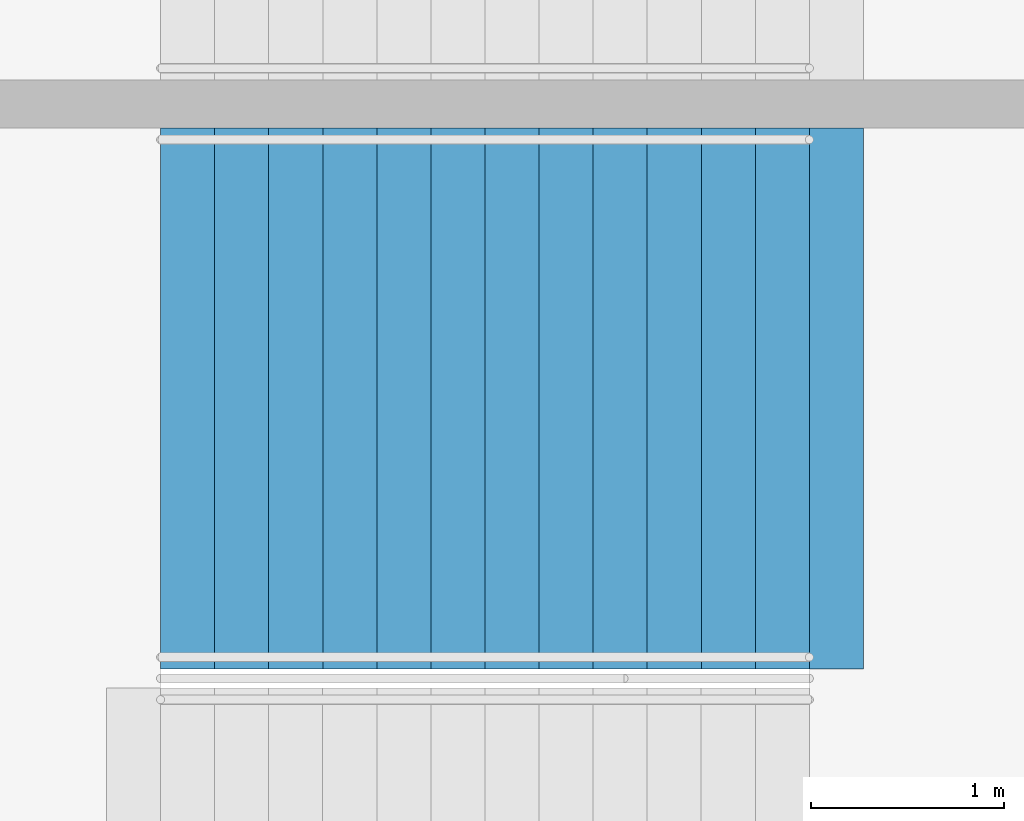
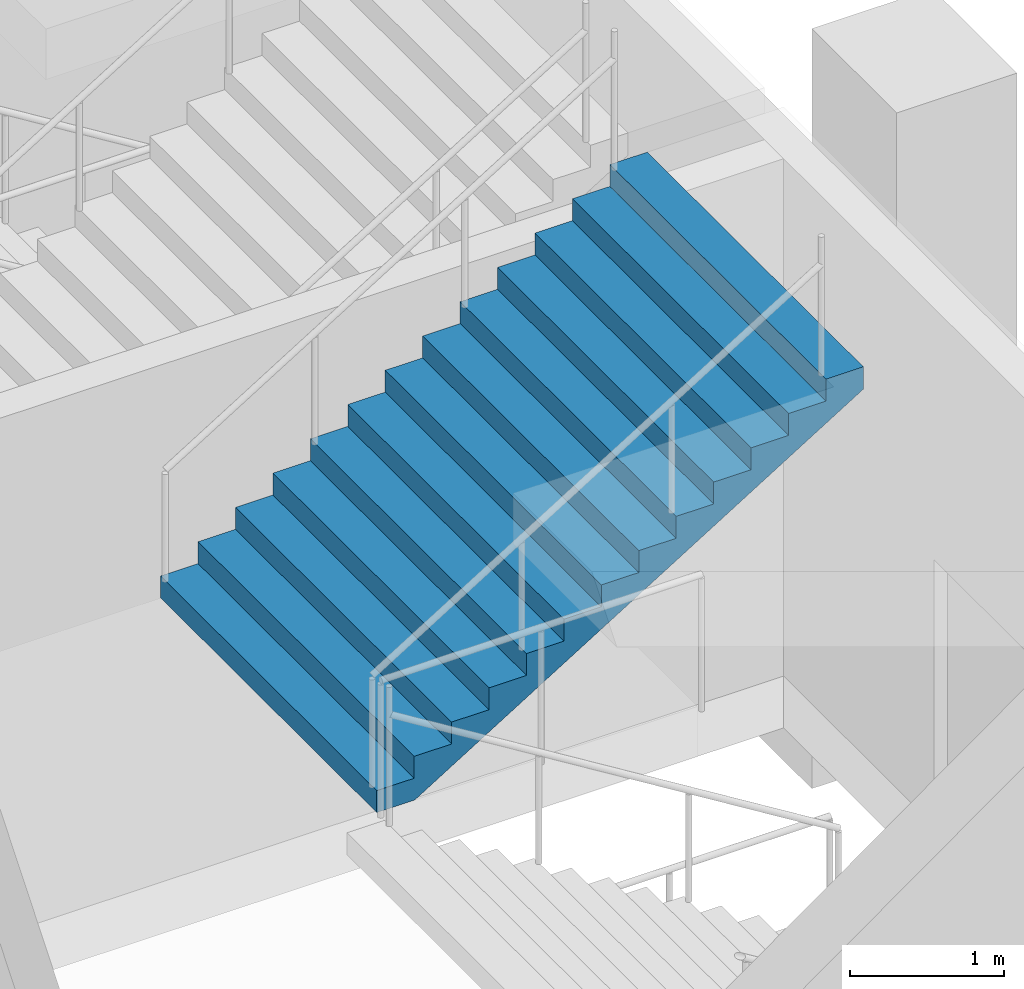
# One storey, part 113 of 177: 1 stair flight, 1 element without a shape of its own.
"""IFC4 building model written with IfcOpenShell, lengths in metres."""

import ifcopenshell
import ifcopenshell.guid

model = None  # the IFC model being written
_history = None  # IfcOwnerHistory: only IFC2X3 demands one
_inside = {}  # id of a spatial element -> (the spatial element, [elements in it])
_under = {}  # id of a project, library or spatial element -> (it, [spatial elements below it])
_declared = {}  # id of a project -> (the project, [libraries it declares])
_typed = {}  # id of a type object -> (the type object, [elements of that type])
_made_of = {}  # id of a material, layer set ... -> (it, [elements and type objects made of it])


def new_model(schema):
    """Start an empty IFC model of exactly this schema.

    Asked for "IFC4X3", IfcOpenShell would pick the latest addendum, in which some entities
    have other attributes; the version numbers below select the first issue.
    IFC2X3 requires an IfcOwnerHistory on every rooted entity: one is made here for all.
    """
    global model, _history
    if schema == "IFC4X3":
        model = ifcopenshell.file(schema_version=(4, 3, 0, 0))
    else:
        model = ifcopenshell.file(schema=schema)
    _inside.clear()
    _under.clear()
    _declared.clear()
    _typed.clear()
    _made_of.clear()
    _history = None
    if model.schema == "IFC2X3":
        org = make("IfcOrganization", Name="unknown")
        user = make(
            "IfcPersonAndOrganization",
            ThePerson=make("IfcPerson", FamilyName="unknown"),
            TheOrganization=org,
        )
        app = make(
            "IfcApplication",
            ApplicationDeveloper=org,
            Version="unknown",
            ApplicationFullName="unknown",
            ApplicationIdentifier="unknown",
        )
        _history = make(
            "IfcOwnerHistory",
            OwningUser=user,
            OwningApplication=app,
            ChangeAction="ADDED",
            CreationDate=0,
        )
    return model


def make(cls, **values):
    """One entity of the class cls with the attributes given. An attribute that is None is left unset."""
    return model.create_entity(
        cls, **{name: value for name, value in values.items() if value is not None}
    )


def rooted(cls, **values):
    """An entity with a GlobalId (a new one), such as an element, a storey or a relation."""
    return make(cls, GlobalId=ifcopenshell.guid.new(), OwnerHistory=_history, **values)


def si_unit(unit_type, name, prefix=None):
    """IfcSIUnit, for example si_unit("LENGTHUNIT", "METRE", prefix="MILLI")."""
    return make("IfcSIUnit", UnitType=unit_type, Prefix=prefix, Name=name)


def assignment(units):
    """IfcUnitAssignment: the units of a project."""
    return None if units is None else make("IfcUnitAssignment", Units=units)


def point(xyz):
    """IfcCartesianPoint."""
    return None if xyz is None else make("IfcCartesianPoint", Coordinates=xyz)


def direction(xyz):
    """IfcDirection."""
    return None if xyz is None else make("IfcDirection", DirectionRatios=xyz)


def frame(location, z_axis=None, x_axis=None):
    """IfcAxis2Placement3D, a coordinate frame: its origin and axes. An axis left out is left unset."""
    return make(
        "IfcAxis2Placement3D",
        Location=point(location),
        Axis=direction(z_axis),
        RefDirection=direction(x_axis),
    )


def origin():
    """The frame at (0, 0, 0) with its axes left unset."""
    return frame((0.0, 0.0, 0.0))


def place(relative_to, where):
    """IfcLocalPlacement: puts the frame where relative to a parent placement (None: the world)."""
    return make(
        "IfcLocalPlacement", PlacementRelTo=relative_to, RelativePlacement=where
    )


def context(
    kind, dimensions, precision=None, world=None, true_north=None, identifier=None
):
    """IfcGeometricRepresentationContext, for example the 3D "Model" context."""
    return make(
        "IfcGeometricRepresentationContext",
        ContextIdentifier=identifier,
        ContextType=kind,
        CoordinateSpaceDimension=dimensions,
        Precision=precision,
        WorldCoordinateSystem=world,
        TrueNorth=true_north,
    )


def subcontext(parent, identifier, kind, view, scale=None):
    """IfcGeometricRepresentationSubContext, for example "Body" below "Model"."""
    return make(
        "IfcGeometricRepresentationSubContext",
        ContextIdentifier=identifier,
        ContextType=kind,
        ParentContext=parent,
        TargetScale=scale,
        TargetView=view,
    )


def project(units=None, contexts=None):
    """IfcProject with its units and contexts."""
    return rooted(
        "IfcProject",
        Name="project",
        RepresentationContexts=contexts,
        UnitsInContext=assignment(units),
    )


def spatial(cls, under=None, at=None, **own):
    """A site, building, storey or space (cls), placed at a placement, below another one or the project."""
    s = rooted(cls, ObjectPlacement=at, **own)
    if under is not None:
        _under.setdefault(under.id(), (under, []))[1].append(s)
    return s


def faces_of(points, faces, orient=None, outer=None):
    """IfcFace entities. A face is a list of loops; a loop is a list of indices into points, from 0.

    orient and outer hold one flag for each loop. By default every Orientation is true, the
    first loop of a face is its IfcFaceOuterBound and the others are IfcFaceBound.
    """
    made = []
    for i, loops in enumerate(faces):
        bounds = []
        for j, loop in enumerate(loops):
            is_outer = j == 0 if outer is None else outer[i][j]
            bounds.append(
                make(
                    "IfcFaceOuterBound" if is_outer else "IfcFaceBound",
                    Bound=make("IfcPolyLoop", Polygon=[points[k] for k in loop]),
                    Orientation=True if orient is None else orient[i][j],
                )
            )
        made.append(make("IfcFace", Bounds=bounds))
    return made


def faceted_brep(points, faces, orient=None, outer=None, voids=None):
    """IfcFacetedBrep: a solid bounded by flat faces; with voids (closed shells), ...WithVoids."""
    shared = [point(p) for p in points]
    hull = make("IfcClosedShell", CfsFaces=faces_of(shared, faces, orient, outer))
    if voids is None:
        return make("IfcFacetedBrep", Outer=hull)
    return make(
        "IfcFacetedBrepWithVoids",
        Outer=hull,
        Voids=[
            make(cls, CfsFaces=faces_of(shared, fs, o, b)) for cls, fs, o, b in voids
        ],
    )


def shape(context_of_items, identifier, shape_type, items):
    """IfcShapeRepresentation: the items that make up one representation, for example the "Body"."""
    return make(
        "IfcShapeRepresentation",
        ContextOfItems=context_of_items,
        RepresentationIdentifier=identifier,
        RepresentationType=shape_type,
        Items=items,
    )


def material(Name=None, Category=None):
    """IfcMaterial."""
    return make("IfcMaterial", Name=Name, Category=Category)


def made_of(thing, what):
    """Note that an element or type object is made of a material, layer set ...; save() writes the relation."""
    if what is not None:
        _made_of.setdefault(what.id(), (what, []))[1].append(thing)
    return thing


def type_object(cls, material=None, **own):
    """A type object (cls), such as IfcWallType, which elements share."""
    return made_of(rooted(cls, **own), material)


def element(
    cls,
    number,
    at=None,
    inside=None,
    cuts=None,
    type_object=None,
    material=None,
    context=None,
    identifier="Body",
    shape_type=None,
    held_by="IfcProductDefinitionShape",
    body=None,
    shapes=None,
    **own,
):
    """One element of the class cls, such as IfcWall. Its Tag is "e" and its number.

    at: its placement. inside: the storey or other place that contains it. cuts: it is an
    opening in that element (IfcRelVoidsElement). A single representation is given by context,
    identifier, shape_type and body (its items); several are given by shapes. held_by: the class
    of the entity that holds the representations. save() writes the other relations.
    """
    e = rooted(cls, Tag="e%d" % number, ObjectPlacement=at, **own)
    if body is not None:
        shapes = [shape(context, identifier, shape_type, body)]
    if shapes is not None:
        e.Representation = make(held_by, Representations=shapes)
    if inside is not None:
        _inside.setdefault(inside.id(), (inside, []))[1].append(e)
    if cuts is not None:
        rooted(
            "IfcRelVoidsElement", RelatingBuildingElement=cuts, RelatedOpeningElement=e
        )
    if type_object is not None:
        _typed.setdefault(type_object.id(), (type_object, []))[1].append(e)
    return made_of(e, material)


def aggregate(whole, parts):
    """IfcRelAggregates: a whole, such as a stair, and the parts it consists of."""
    return rooted("IfcRelAggregates", RelatingObject=whole, RelatedObjects=parts)


def save(model, path):
    """Write the relations noted so far, then the file.

    IfcRelAggregates (storeys below a building ...), IfcRelContainedInSpatialStructure (elements
    in a storey), IfcRelDefinesByType, IfcRelAssociatesMaterial and IfcRelDeclares: one each for
    every whole, place, type object, material and project.
    """
    for whole, parts in _under.values():
        aggregate(whole, parts)
    for where, things in _inside.values():
        rooted(
            "IfcRelContainedInSpatialStructure",
            RelatedElements=things,
            RelatingStructure=where,
        )
    for kind, things in _typed.values():
        rooted("IfcRelDefinesByType", RelatedObjects=things, RelatingType=kind)
    for what, things in _made_of.values():
        rooted("IfcRelAssociatesMaterial", RelatedObjects=things, RelatingMaterial=what)
    for by, libraries in _declared.values():
        rooted("IfcRelDeclares", RelatingContext=by, RelatedDefinitions=libraries)
    model.write(path)


model = new_model("IFC4")

# Units and contexts
model_context = context("Model", 3, precision=1e-05, world=origin(), true_north=direction((0.0, 1.0)))
body_context = subcontext(model_context, "Body", "Model", "MODEL_VIEW")
ifc_project = project(units=[si_unit("LENGTHUNIT", "METRE"), si_unit("AREAUNIT", "SQUARE_METRE"), si_unit("VOLUMEUNIT", "CUBIC_METRE"), si_unit("PLANEANGLEUNIT", "RADIAN"), si_unit("MASSUNIT", "GRAM", prefix="KILO")], contexts=[model_context])

# Site, building, storey
site_placement = place(None, origin())
site = spatial("IfcSite", under=ifc_project, at=site_placement, CompositionType="ELEMENT")
building_placement = place(site_placement, origin())
building = spatial("IfcBuilding", under=site, at=building_placement, Name="Ogive Plaza Stadium", CompositionType="ELEMENT")
storey_placement = place(building_placement, frame((0.0, 0.0, 18.0)))
storey = spatial("IfcBuildingStorey", under=building, at=storey_placement, Name="L04", CompositionType="ELEMENT", Elevation=18.0)

# Stair, stair flight
ifc_material_1 = material(Name="Concrete C40/50", Category="concrete")
stair_type = type_object("IfcStairType", Name="Exit stair", PredefinedType="STRAIGHT_RUN_STAIR", material=ifc_material_1)
stair_placement = place(storey_placement, origin())
stair = element("IfcStair", 1, at=stair_placement, inside=storey, type_object=stair_type, Name="Exit stair ST26B L04 to L05", PredefinedType="STRAIGHT_RUN_STAIR")
ifc_material_2 = material(Name="Concrete C40/50", Category="concrete")
stair_flight_type = type_object("IfcStairFlightType", Name="Exit stair flight", PredefinedType="STRAIGHT", material=ifc_material_2)
stair_flight_placement = place(storey_placement, frame((-79.7099609375, 20.97509765625, 2.25), z_axis=(0.0, 0.0, 1.0), x_axis=(1.0, 0.0, 0.0)))
stair_flight = element("IfcStairFlight", 2, at=stair_flight_placement, type_object=stair_flight_type, Name="ST26B flight 2", NumberOfRisers=13, NumberOfTreads=12, PredefinedType="STRAIGHT", RiserHeight=0.173076923, TreadLength=0.28, context=body_context, shape_type="Brep", body=[
    faceted_brep([(0.28515625, -1.39990234375, 0.0), (3.639892578125, -1.39990234375, 2.07373046875), (3.639892578125, -1.39990234375, 2.25), (3.360107421875, -1.39990234375, 2.25), (3.360107421875, -1.39990234375, 2.076904296875), (3.080078125, -1.39990234375, 2.076904296875), (3.080078125, -1.39990234375, 1.90380859375), (2.800048828125, -1.39990234375, 1.90380859375), (2.800048828125, -1.39990234375, 1.730712890625), (2.52001953125, -1.39990234375, 1.730712890625), (2.52001953125, -1.39990234375, 1.5576171875), (2.239990234375, -1.39990234375, 1.5576171875), (2.239990234375, -1.39990234375, 1.384521484375), (1.9599609375, -1.39990234375, 1.384521484375), (1.9599609375, -1.39990234375, 1.21142578125), (1.679931640625, -1.39990234375, 1.21142578125), (1.679931640625, -1.39990234375, 1.03857421875), (1.39990234375, -1.39990234375, 1.03857421875), (1.39990234375, -1.39990234375, 0.865478515625), (1.1201171875, -1.39990234375, 0.865478515625), (1.1201171875, -1.39990234375, 0.6923828125), (0.840087890625, -1.39990234375, 0.6923828125), (0.840087890625, -1.39990234375, 0.519287109375), (0.56005859375, -1.39990234375, 0.519287109375), (0.56005859375, -1.39990234375, 0.34619140625), (0.280029296875, -1.39990234375, 0.34619140625), (0.280029296875, -1.39990234375, 0.173095703125), (0.0, -1.39990234375, 0.173095703125), (0.0, -1.39990234375, 0.0), (0.0, 1.39990234375, 0.0), (0.0, 1.39990234375, 0.173095703125), (0.280029296875, 1.39990234375, 0.173095703125), (0.280029296875, 1.39990234375, 0.34619140625), (0.56005859375, 1.39990234375, 0.34619140625), (0.56005859375, 1.39990234375, 0.519287109375), (0.840087890625, 1.39990234375, 0.519287109375), (0.840087890625, 1.39990234375, 0.6923828125), (1.1201171875, 1.39990234375, 0.6923828125), (1.1201171875, 1.39990234375, 0.865478515625), (1.39990234375, 1.39990234375, 0.865478515625), (1.39990234375, 1.39990234375, 1.03857421875), (1.679931640625, 1.39990234375, 1.03857421875), (1.679931640625, 1.39990234375, 1.21142578125), (1.9599609375, 1.39990234375, 1.21142578125), (1.9599609375, 1.39990234375, 1.384521484375), (2.239990234375, 1.39990234375, 1.384521484375), (2.239990234375, 1.39990234375, 1.5576171875), (2.52001953125, 1.39990234375, 1.5576171875), (2.52001953125, 1.39990234375, 1.730712890625), (2.800048828125, 1.39990234375, 1.730712890625), (2.800048828125, 1.39990234375, 1.90380859375), (3.080078125, 1.39990234375, 1.90380859375), (3.080078125, 1.39990234375, 2.076904296875), (3.360107421875, 1.39990234375, 2.076904296875), (3.360107421875, 1.39990234375, 2.25), (3.639892578125, 1.39990234375, 2.25), (3.639892578125, 1.39990234375, 2.07373046875), (0.28515625, 1.39990234375, 0.0), (0.28515625, -1.0888671875, 0.0), (3.639892578125, -1.0888671875, 2.07373046875), (0.28515625, -0.77783203125, 0.0), (3.639892578125, -0.77783203125, 2.07373046875), (0.28515625, -0.466796875, 0.0), (3.639892578125, -0.466796875, 2.07373046875), (0.28515625, -0.155517578125, 0.0), (3.639892578125, -0.155517578125, 2.07373046875), (0.28515625, 0.155517578125, 0.0), (3.639892578125, 0.155517578125, 2.07373046875), (0.28515625, 0.466796875, 0.0), (3.639892578125, 0.466796875, 2.07373046875), (0.28515625, 0.77783203125, 0.0), (3.639892578125, 0.77783203125, 2.07373046875), (0.28515625, 1.0888671875, 0.0), (3.639892578125, 1.0888671875, 2.07373046875), (3.639892578125, -1.0888671875, 2.25), (3.639892578125, -0.77783203125, 2.25), (3.639892578125, -0.466796875, 2.25), (3.639892578125, -0.155517578125, 2.25), (3.639892578125, 0.155517578125, 2.25), (3.639892578125, 0.466796875, 2.25), (3.639892578125, 0.77783203125, 2.25), (3.639892578125, 1.0888671875, 2.25), (3.360107421875, -1.0888671875, 2.25), (3.360107421875, -0.77783203125, 2.25), (3.360107421875, -0.466796875, 2.25), (3.360107421875, -0.155517578125, 2.25), (3.360107421875, 0.155517578125, 2.25), (3.360107421875, 0.466796875, 2.25), (3.360107421875, 0.77783203125, 2.25), (3.360107421875, 1.0888671875, 2.25), (3.360107421875, -1.0888671875, 2.076904296875), (3.360107421875, -0.77783203125, 2.076904296875), (3.360107421875, -0.466796875, 2.076904296875), (3.360107421875, -0.155517578125, 2.076904296875), (3.360107421875, 0.155517578125, 2.076904296875), (3.360107421875, 0.466796875, 2.076904296875), (3.360107421875, 0.77783203125, 2.076904296875), (3.360107421875, 1.0888671875, 2.076904296875), (3.080078125, -1.0888671875, 2.076904296875), (3.080078125, -0.77783203125, 2.076904296875), (3.080078125, -0.466796875, 2.076904296875), (3.080078125, -0.155517578125, 2.076904296875), (3.080078125, 0.155517578125, 2.076904296875), (3.080078125, 0.466796875, 2.076904296875), (3.080078125, 0.77783203125, 2.076904296875), (3.080078125, 1.0888671875, 2.076904296875), (3.080078125, -1.0888671875, 1.90380859375), (3.080078125, -0.77783203125, 1.90380859375), (3.080078125, -0.466796875, 1.90380859375), (3.080078125, -0.155517578125, 1.90380859375), (3.080078125, 0.155517578125, 1.90380859375), (3.080078125, 0.466796875, 1.90380859375), (3.080078125, 0.77783203125, 1.90380859375), (3.080078125, 1.0888671875, 1.90380859375), (2.800048828125, -1.0888671875, 1.90380859375), (2.800048828125, -0.77783203125, 1.90380859375), (2.800048828125, -0.466796875, 1.90380859375), (2.800048828125, -0.155517578125, 1.90380859375), (2.800048828125, 0.155517578125, 1.90380859375), (2.800048828125, 0.466796875, 1.90380859375), (2.800048828125, 0.77783203125, 1.90380859375), (2.800048828125, 1.0888671875, 1.90380859375), (2.800048828125, -1.0888671875, 1.730712890625), (2.800048828125, -0.77783203125, 1.730712890625), (2.800048828125, -0.466796875, 1.730712890625), (2.800048828125, -0.155517578125, 1.730712890625), (2.800048828125, 0.155517578125, 1.730712890625), (2.800048828125, 0.466796875, 1.730712890625), (2.800048828125, 0.77783203125, 1.730712890625), (2.800048828125, 1.0888671875, 1.730712890625), (2.52001953125, -1.0888671875, 1.730712890625), (2.52001953125, -0.77783203125, 1.730712890625), (2.52001953125, -0.466796875, 1.730712890625), (2.52001953125, -0.155517578125, 1.730712890625), (2.52001953125, 0.155517578125, 1.730712890625), (2.52001953125, 0.466796875, 1.730712890625), (2.52001953125, 0.77783203125, 1.730712890625), (2.52001953125, 1.0888671875, 1.730712890625), (2.52001953125, -1.0888671875, 1.5576171875), (2.52001953125, -0.77783203125, 1.5576171875), (2.52001953125, -0.466796875, 1.5576171875), (2.52001953125, -0.155517578125, 1.5576171875), (2.52001953125, 0.155517578125, 1.5576171875), (2.52001953125, 0.466796875, 1.5576171875), (2.52001953125, 0.77783203125, 1.5576171875), (2.52001953125, 1.0888671875, 1.5576171875), (2.239990234375, -1.0888671875, 1.5576171875), (2.239990234375, -0.77783203125, 1.5576171875), (2.239990234375, -0.466796875, 1.5576171875), (2.239990234375, -0.155517578125, 1.5576171875), (2.239990234375, 0.155517578125, 1.5576171875), (2.239990234375, 0.466796875, 1.5576171875), (2.239990234375, 0.77783203125, 1.5576171875), (2.239990234375, 1.0888671875, 1.5576171875), (2.239990234375, -1.0888671875, 1.384521484375), (2.239990234375, -0.77783203125, 1.384521484375), (2.239990234375, -0.466796875, 1.384521484375), (2.239990234375, -0.155517578125, 1.384521484375), (2.239990234375, 0.155517578125, 1.384521484375), (2.239990234375, 0.466796875, 1.384521484375), (2.239990234375, 0.77783203125, 1.384521484375), (2.239990234375, 1.0888671875, 1.384521484375), (1.9599609375, -1.0888671875, 1.384521484375), (1.9599609375, -0.77783203125, 1.384521484375), (1.9599609375, -0.466796875, 1.384521484375), (1.9599609375, -0.155517578125, 1.384521484375), (1.9599609375, 0.155517578125, 1.384521484375), (1.9599609375, 0.466796875, 1.384521484375), (1.9599609375, 0.77783203125, 1.384521484375), (1.9599609375, 1.0888671875, 1.384521484375), (1.9599609375, -1.0888671875, 1.21142578125), (1.9599609375, -0.77783203125, 1.21142578125), (1.9599609375, -0.466796875, 1.21142578125), (1.9599609375, -0.155517578125, 1.21142578125), (1.9599609375, 0.155517578125, 1.21142578125), (1.9599609375, 0.466796875, 1.21142578125), (1.9599609375, 0.77783203125, 1.21142578125), (1.9599609375, 1.0888671875, 1.21142578125), (1.679931640625, -1.0888671875, 1.21142578125), (1.679931640625, -0.77783203125, 1.21142578125), (1.679931640625, -0.466796875, 1.21142578125), (1.679931640625, -0.155517578125, 1.21142578125), (1.679931640625, 0.155517578125, 1.21142578125), (1.679931640625, 0.466796875, 1.21142578125), (1.679931640625, 0.77783203125, 1.21142578125), (1.679931640625, 1.0888671875, 1.21142578125), (1.679931640625, -1.0888671875, 1.03857421875), (1.679931640625, -0.77783203125, 1.03857421875), (1.679931640625, -0.466796875, 1.03857421875), (1.679931640625, -0.155517578125, 1.03857421875), (1.679931640625, 0.155517578125, 1.03857421875), (1.679931640625, 0.466796875, 1.03857421875), (1.679931640625, 0.77783203125, 1.03857421875), (1.679931640625, 1.0888671875, 1.03857421875), (1.39990234375, -1.0888671875, 1.03857421875), (1.39990234375, -0.77783203125, 1.03857421875), (1.39990234375, -0.466796875, 1.03857421875), (1.39990234375, -0.155517578125, 1.03857421875), (1.39990234375, 0.155517578125, 1.03857421875), (1.39990234375, 0.466796875, 1.03857421875), (1.39990234375, 0.77783203125, 1.03857421875), (1.39990234375, 1.0888671875, 1.03857421875), (1.39990234375, -1.0888671875, 0.865478515625), (1.39990234375, -0.77783203125, 0.865478515625), (1.39990234375, -0.466796875, 0.865478515625), (1.39990234375, -0.155517578125, 0.865478515625), (1.39990234375, 0.155517578125, 0.865478515625), (1.39990234375, 0.466796875, 0.865478515625), (1.39990234375, 0.77783203125, 0.865478515625), (1.39990234375, 1.0888671875, 0.865478515625), (1.1201171875, -1.0888671875, 0.865478515625), (1.1201171875, -0.77783203125, 0.865478515625), (1.1201171875, -0.466796875, 0.865478515625), (1.1201171875, -0.155517578125, 0.865478515625), (1.1201171875, 0.155517578125, 0.865478515625), (1.1201171875, 0.466796875, 0.865478515625), (1.1201171875, 0.77783203125, 0.865478515625), (1.1201171875, 1.0888671875, 0.865478515625), (1.1201171875, -1.0888671875, 0.6923828125), (1.1201171875, -0.77783203125, 0.6923828125), (1.1201171875, -0.466796875, 0.6923828125), (1.1201171875, -0.155517578125, 0.6923828125), (1.1201171875, 0.155517578125, 0.6923828125), (1.1201171875, 0.466796875, 0.6923828125), (1.1201171875, 0.77783203125, 0.6923828125), (1.1201171875, 1.0888671875, 0.6923828125), (0.840087890625, -1.0888671875, 0.6923828125), (0.840087890625, -0.77783203125, 0.6923828125), (0.840087890625, -0.466796875, 0.6923828125), (0.840087890625, -0.155517578125, 0.6923828125), (0.840087890625, 0.155517578125, 0.6923828125), (0.840087890625, 0.466796875, 0.6923828125), (0.840087890625, 0.77783203125, 0.6923828125), (0.840087890625, 1.0888671875, 0.6923828125), (0.840087890625, -1.0888671875, 0.519287109375), (0.840087890625, -0.77783203125, 0.519287109375), (0.840087890625, -0.466796875, 0.519287109375), (0.840087890625, -0.155517578125, 0.519287109375), (0.840087890625, 0.155517578125, 0.519287109375), (0.840087890625, 0.466796875, 0.519287109375), (0.840087890625, 0.77783203125, 0.519287109375), (0.840087890625, 1.0888671875, 0.519287109375), (0.56005859375, -1.0888671875, 0.519287109375), (0.56005859375, -0.77783203125, 0.519287109375), (0.56005859375, -0.466796875, 0.519287109375), (0.56005859375, -0.155517578125, 0.519287109375), (0.56005859375, 0.155517578125, 0.519287109375), (0.56005859375, 0.466796875, 0.519287109375), (0.56005859375, 0.77783203125, 0.519287109375), (0.56005859375, 1.0888671875, 0.519287109375), (0.56005859375, -1.0888671875, 0.34619140625), (0.56005859375, -0.77783203125, 0.34619140625), (0.56005859375, -0.466796875, 0.34619140625), (0.56005859375, -0.155517578125, 0.34619140625), (0.56005859375, 0.155517578125, 0.34619140625), (0.56005859375, 0.466796875, 0.34619140625), (0.56005859375, 0.77783203125, 0.34619140625), (0.56005859375, 1.0888671875, 0.34619140625), (0.280029296875, -1.0888671875, 0.34619140625), (0.280029296875, -0.77783203125, 0.34619140625), (0.280029296875, -0.466796875, 0.34619140625), (0.280029296875, -0.155517578125, 0.34619140625), (0.280029296875, 0.155517578125, 0.34619140625), (0.280029296875, 0.466796875, 0.34619140625), (0.280029296875, 0.77783203125, 0.34619140625), (0.280029296875, 1.0888671875, 0.34619140625), (0.280029296875, -1.0888671875, 0.173095703125), (0.280029296875, -0.77783203125, 0.173095703125), (0.280029296875, -0.466796875, 0.173095703125), (0.280029296875, -0.155517578125, 0.173095703125), (0.280029296875, 0.155517578125, 0.173095703125), (0.280029296875, 0.466796875, 0.173095703125), (0.280029296875, 0.77783203125, 0.173095703125), (0.280029296875, 1.0888671875, 0.173095703125), (0.0, -1.0888671875, 0.173095703125), (0.0, -0.77783203125, 0.173095703125), (0.0, -0.466796875, 0.173095703125), (0.0, -0.155517578125, 0.173095703125), (0.0, 0.155517578125, 0.173095703125), (0.0, 0.466796875, 0.173095703125), (0.0, 0.77783203125, 0.173095703125), (0.0, 1.0888671875, 0.173095703125), (0.0, -1.0888671875, 0.0), (0.0, -0.77783203125, 0.0), (0.0, -0.466796875, 0.0), (0.0, -0.155517578125, 0.0), (0.0, 0.155517578125, 0.0), (0.0, 0.466796875, 0.0), (0.0, 0.77783203125, 0.0), (0.0, 1.0888671875, 0.0)], [[[0, 1, 2, 3, 4, 5, 6, 7, 8, 9, 10, 11, 12, 13, 14, 15, 16, 17, 18, 19, 20, 21, 22, 23, 24, 25, 26, 27, 28]], [[29, 30, 31, 32, 33, 34, 35, 36, 37, 38, 39, 40, 41, 42, 43, 44, 45, 46, 47, 48, 49, 50, 51, 52, 53, 54, 55, 56, 57]], [[0, 58, 59, 1]], [[58, 60, 61, 59]], [[60, 62, 63, 61]], [[62, 64, 65, 63]], [[64, 66, 67, 65]], [[66, 68, 69, 67]], [[68, 70, 71, 69]], [[70, 72, 73, 71]], [[72, 57, 56, 73]], [[1, 59, 74, 2]], [[59, 61, 75, 74]], [[61, 63, 76, 75]], [[63, 65, 77, 76]], [[65, 67, 78, 77]], [[67, 69, 79, 78]], [[69, 71, 80, 79]], [[71, 73, 81, 80]], [[73, 56, 55, 81]], [[2, 74, 82, 3]], [[74, 75, 83, 82]], [[75, 76, 84, 83]], [[76, 77, 85, 84]], [[77, 78, 86, 85]], [[78, 79, 87, 86]], [[79, 80, 88, 87]], [[80, 81, 89, 88]], [[81, 55, 54, 89]], [[3, 82, 90, 4]], [[82, 83, 91, 90]], [[83, 84, 92, 91]], [[84, 85, 93, 92]], [[85, 86, 94, 93]], [[86, 87, 95, 94]], [[87, 88, 96, 95]], [[88, 89, 97, 96]], [[89, 54, 53, 97]], [[4, 90, 98, 5]], [[90, 91, 99, 98]], [[91, 92, 100, 99]], [[92, 93, 101, 100]], [[93, 94, 102, 101]], [[94, 95, 103, 102]], [[95, 96, 104, 103]], [[96, 97, 105, 104]], [[97, 53, 52, 105]], [[5, 98, 106, 6]], [[98, 99, 107, 106]], [[99, 100, 108, 107]], [[100, 101, 109, 108]], [[101, 102, 110, 109]], [[102, 103, 111, 110]], [[103, 104, 112, 111]], [[104, 105, 113, 112]], [[105, 52, 51, 113]], [[6, 106, 114, 7]], [[106, 107, 115, 114]], [[107, 108, 116, 115]], [[108, 109, 117, 116]], [[109, 110, 118, 117]], [[110, 111, 119, 118]], [[111, 112, 120, 119]], [[112, 113, 121, 120]], [[113, 51, 50, 121]], [[7, 114, 122, 8]], [[114, 115, 123, 122]], [[115, 116, 124, 123]], [[116, 117, 125, 124]], [[117, 118, 126, 125]], [[118, 119, 127, 126]], [[119, 120, 128, 127]], [[120, 121, 129, 128]], [[121, 50, 49, 129]], [[8, 122, 130, 9]], [[122, 123, 131, 130]], [[123, 124, 132, 131]], [[124, 125, 133, 132]], [[125, 126, 134, 133]], [[126, 127, 135, 134]], [[127, 128, 136, 135]], [[128, 129, 137, 136]], [[129, 49, 48, 137]], [[9, 130, 138, 10]], [[130, 131, 139, 138]], [[131, 132, 140, 139]], [[132, 133, 141, 140]], [[133, 134, 142, 141]], [[134, 135, 143, 142]], [[135, 136, 144, 143]], [[136, 137, 145, 144]], [[137, 48, 47, 145]], [[10, 138, 146, 11]], [[138, 139, 147, 146]], [[139, 140, 148, 147]], [[140, 141, 149, 148]], [[141, 142, 150, 149]], [[142, 143, 151, 150]], [[143, 144, 152, 151]], [[144, 145, 153, 152]], [[145, 47, 46, 153]], [[11, 146, 154, 12]], [[146, 147, 155, 154]], [[147, 148, 156, 155]], [[148, 149, 157, 156]], [[149, 150, 158, 157]], [[150, 151, 159, 158]], [[151, 152, 160, 159]], [[152, 153, 161, 160]], [[153, 46, 45, 161]], [[12, 154, 162, 13]], [[154, 155, 163, 162]], [[155, 156, 164, 163]], [[156, 157, 165, 164]], [[157, 158, 166, 165]], [[158, 159, 167, 166]], [[159, 160, 168, 167]], [[160, 161, 169, 168]], [[161, 45, 44, 169]], [[13, 162, 170, 14]], [[162, 163, 171, 170]], [[163, 164, 172, 171]], [[164, 165, 173, 172]], [[165, 166, 174, 173]], [[166, 167, 175, 174]], [[167, 168, 176, 175]], [[168, 169, 177, 176]], [[169, 44, 43, 177]], [[14, 170, 178, 15]], [[170, 171, 179, 178]], [[171, 172, 180, 179]], [[172, 173, 181, 180]], [[173, 174, 182, 181]], [[174, 175, 183, 182]], [[175, 176, 184, 183]], [[176, 177, 185, 184]], [[177, 43, 42, 185]], [[15, 178, 186, 16]], [[178, 179, 187, 186]], [[179, 180, 188, 187]], [[180, 181, 189, 188]], [[181, 182, 190, 189]], [[182, 183, 191, 190]], [[183, 184, 192, 191]], [[184, 185, 193, 192]], [[185, 42, 41, 193]], [[16, 186, 194, 17]], [[186, 187, 195, 194]], [[187, 188, 196, 195]], [[188, 189, 197, 196]], [[189, 190, 198, 197]], [[190, 191, 199, 198]], [[191, 192, 200, 199]], [[192, 193, 201, 200]], [[193, 41, 40, 201]], [[17, 194, 202, 18]], [[194, 195, 203, 202]], [[195, 196, 204, 203]], [[196, 197, 205, 204]], [[197, 198, 206, 205]], [[198, 199, 207, 206]], [[199, 200, 208, 207]], [[200, 201, 209, 208]], [[201, 40, 39, 209]], [[18, 202, 210, 19]], [[202, 203, 211, 210]], [[203, 204, 212, 211]], [[204, 205, 213, 212]], [[205, 206, 214, 213]], [[206, 207, 215, 214]], [[207, 208, 216, 215]], [[208, 209, 217, 216]], [[209, 39, 38, 217]], [[19, 210, 218, 20]], [[210, 211, 219, 218]], [[211, 212, 220, 219]], [[212, 213, 221, 220]], [[213, 214, 222, 221]], [[214, 215, 223, 222]], [[215, 216, 224, 223]], [[216, 217, 225, 224]], [[217, 38, 37, 225]], [[20, 218, 226, 21]], [[218, 219, 227, 226]], [[219, 220, 228, 227]], [[220, 221, 229, 228]], [[221, 222, 230, 229]], [[222, 223, 231, 230]], [[223, 224, 232, 231]], [[224, 225, 233, 232]], [[225, 37, 36, 233]], [[21, 226, 234, 22]], [[226, 227, 235, 234]], [[227, 228, 236, 235]], [[228, 229, 237, 236]], [[229, 230, 238, 237]], [[230, 231, 239, 238]], [[231, 232, 240, 239]], [[232, 233, 241, 240]], [[233, 36, 35, 241]], [[22, 234, 242, 23]], [[234, 235, 243, 242]], [[235, 236, 244, 243]], [[236, 237, 245, 244]], [[237, 238, 246, 245]], [[238, 239, 247, 246]], [[239, 240, 248, 247]], [[240, 241, 249, 248]], [[241, 35, 34, 249]], [[23, 242, 250, 24]], [[242, 243, 251, 250]], [[243, 244, 252, 251]], [[244, 245, 253, 252]], [[245, 246, 254, 253]], [[246, 247, 255, 254]], [[247, 248, 256, 255]], [[248, 249, 257, 256]], [[249, 34, 33, 257]], [[24, 250, 258, 25]], [[250, 251, 259, 258]], [[251, 252, 260, 259]], [[252, 253, 261, 260]], [[253, 254, 262, 261]], [[254, 255, 263, 262]], [[255, 256, 264, 263]], [[256, 257, 265, 264]], [[257, 33, 32, 265]], [[25, 258, 266, 26]], [[258, 259, 267, 266]], [[259, 260, 268, 267]], [[260, 261, 269, 268]], [[261, 262, 270, 269]], [[262, 263, 271, 270]], [[263, 264, 272, 271]], [[264, 265, 273, 272]], [[265, 32, 31, 273]], [[26, 266, 274, 27]], [[266, 267, 275, 274]], [[267, 268, 276, 275]], [[268, 269, 277, 276]], [[269, 270, 278, 277]], [[270, 271, 279, 278]], [[271, 272, 280, 279]], [[272, 273, 281, 280]], [[273, 31, 30, 281]], [[27, 274, 282, 28]], [[274, 275, 283, 282]], [[275, 276, 284, 283]], [[276, 277, 285, 284]], [[277, 278, 286, 285]], [[278, 279, 287, 286]], [[279, 280, 288, 287]], [[280, 281, 289, 288]], [[281, 30, 29, 289]], [[28, 282, 58, 0]], [[282, 283, 60, 58]], [[283, 284, 62, 60]], [[284, 285, 64, 62]], [[285, 286, 66, 64]], [[286, 287, 68, 66]], [[287, 288, 70, 68]], [[288, 289, 72, 70]], [[289, 29, 57, 72]]]),
])
aggregate(stair, [stair_flight])

save(model, "model.ifc")
